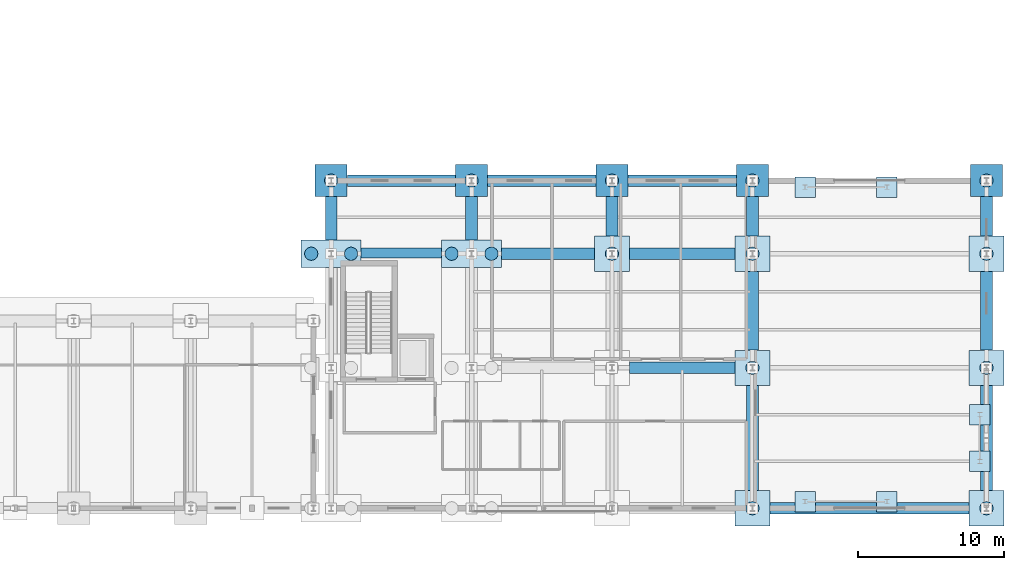
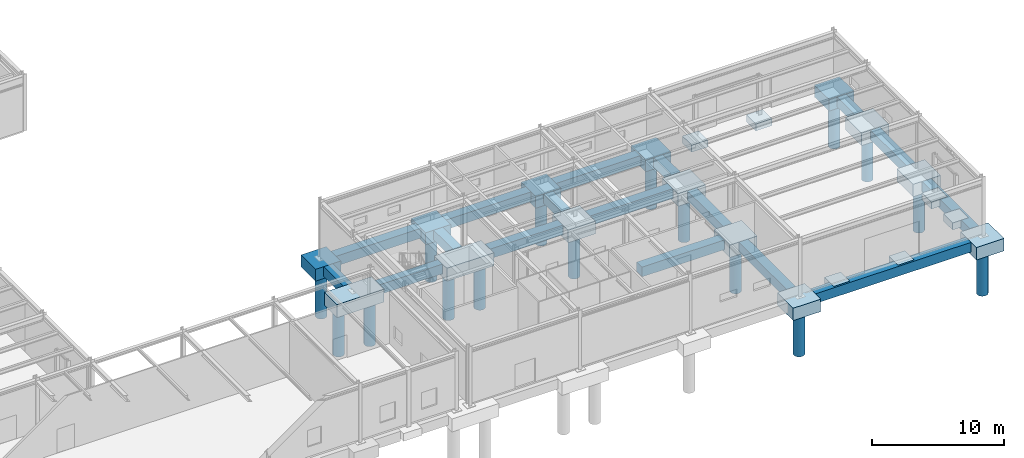
# One storey, part 3 of 109: 37 footings, 16 piles.
"""IFC4 building model written with IfcOpenShell, lengths in metres."""

from ifc_helpers import new_model, si_unit, direction, frame, origin, origin_2d, place, context, subcontext, project, spatial, polyline, rectangle, circle, outline, extrude, material, material_profile, profile_set, type_object, element, save


model = new_model("IFC4")

# Units and contexts
model_context = context("Model", 3, precision=1e-05, world=origin(), true_north=direction((0.0, 1.0)))
body_context = subcontext(model_context, "Body", "Model", "MODEL_VIEW")
ifc_project = project(units=[si_unit("LENGTHUNIT", "METRE"), si_unit("AREAUNIT", "SQUARE_METRE"), si_unit("VOLUMEUNIT", "CUBIC_METRE"), si_unit("PLANEANGLEUNIT", "RADIAN"), si_unit("MASSUNIT", "GRAM", prefix="KILO")], contexts=[model_context])

# Site, building, storey
site_placement = place(None, origin())
site = spatial("IfcSite", under=ifc_project, at=site_placement, CompositionType="ELEMENT")
building_placement = place(site_placement, origin())
building = spatial("IfcBuilding", under=site, at=building_placement, Name="Nordkorset Police Headquarters", CompositionType="ELEMENT")
storey_placement = place(building_placement, origin())
storey = spatial("IfcBuildingStorey", under=building, at=storey_placement, Name="L00", CompositionType="ELEMENT", Elevation=0.0)

# Piles
ifc_material_1 = material(Name="Concrete C45/55", Category="concrete")
ifc_material_profile = material_profile(ifc_material_1, circle(Radius=0.449951171875, at=origin_2d()), Name="PILE D900")
ifc_profile_set = profile_set([ifc_material_profile], Name="Concrete C45/55")
pile_type = type_object("IfcPileType", Name="Bored_PILE_D900", PredefinedType="BORED", material=ifc_profile_set)
pile_1_placement = place(storey_placement, frame((126.39990234375, 22.39990234375, -1.27001953125), z_axis=(0.0, 0.0, -1.0), x_axis=(1.0, 0.0, 0.0)))
element("IfcPile", 1, at=pile_1_placement, inside=storey, type_object=pile_type, Name="Rock-Socketed Bored Pile V6_N_0-1", PredefinedType="BORED", context=body_context, shape_type="SweptSolid", body=[
    extrude(circle(Radius=0.449951171875, at=origin_2d()), origin(), (0.0, 0.0, 1.0), 4.330078125),
])
for number, where, z_axis, x_axis, name in (
    (2, (125.0400390625, 17.39990234375, -1.3701171875), (0.0, 0.0, -1.0), (1.0, 0.0, 0.0), "Rock-Socketed Bored Pile V6_Y2_0-1"),
    (3, (127.760009765625, 17.39990234375, -1.3701171875), (0.0, 0.0, -1.0), (1.0, 0.0, 0.0), "Rock-Socketed Bored Pile V6_Y2_0-2"),
):
    element("IfcPile", number, at=place(storey_placement, frame(where, z_axis=z_axis, x_axis=x_axis)), inside=storey, type_object=pile_type, Name=name, PredefinedType="BORED", context=body_context, shape_type="SweptSolid", body=[
        extrude(circle(Radius=0.449951171875, at=origin_2d()), origin(), (0.0, 0.0, 1.0), 4.22998046875),
    ])
pile_2_placement = place(storey_placement, frame((136.0, 22.39990234375, -1.27001953125), z_axis=(0.0, 0.0, -1.0), x_axis=(1.0, 0.0, 0.0)))
element("IfcPile", 4, at=pile_2_placement, inside=storey, type_object=pile_type, Name="Rock-Socketed Bored Pile V6_N_1-1", PredefinedType="BORED", context=body_context, shape_type="SweptSolid", body=[
    extrude(circle(Radius=0.449951171875, at=origin_2d()), origin(), (0.0, 0.0, 1.0), 4.330078125),
])
for number, where, z_axis, x_axis, name in (
    (5, (134.639892578125, 17.39990234375, -1.3701171875), (0.0, 0.0, -1.0), (1.0, 0.0, 0.0), "Rock-Socketed Bored Pile V6_Y2_1-1"),
    (6, (137.360107421875, 17.39990234375, -1.3701171875), (0.0, 0.0, -1.0), (1.0, 0.0, 0.0), "Rock-Socketed Bored Pile V6_Y2_1-2"),
):
    element("IfcPile", number, at=place(storey_placement, frame(where, z_axis=z_axis, x_axis=x_axis)), inside=storey, type_object=pile_type, Name=name, PredefinedType="BORED", context=body_context, shape_type="SweptSolid", body=[
        extrude(circle(Radius=0.449951171875, at=origin_2d()), origin(), (0.0, 0.0, 1.0), 4.22998046875),
    ])
pile_3_placement = place(storey_placement, frame((145.60009765625, 22.39990234375, -1.27001953125), z_axis=(0.0, 0.0, -1.0), x_axis=(1.0, 0.0, 0.0)))
element("IfcPile", 7, at=pile_3_placement, inside=storey, type_object=pile_type, Name="Rock-Socketed Bored Pile V6_N_2-1", PredefinedType="BORED", context=body_context, shape_type="SweptSolid", body=[
    extrude(circle(Radius=0.449951171875, at=origin_2d()), origin(), (0.0, 0.0, 1.0), 4.330078125),
])
pile_4_placement = place(storey_placement, frame((145.60009765625, 17.39990234375, -1.320068359375), z_axis=(0.0, 0.0, -1.0), x_axis=(1.0, 0.0, 0.0)))
element("IfcPile", 8, at=pile_4_placement, inside=storey, type_object=pile_type, Name="Rock-Socketed Bored Pile V6_Y2_2-1", PredefinedType="BORED", context=body_context, shape_type="SweptSolid", body=[
    extrude(circle(Radius=0.449951171875, at=origin_2d()), origin(), (0.0, 0.0, 1.0), 4.280029296875),
])
pile_5_placement = place(storey_placement, frame((155.199951171875, 22.39990234375, -1.27001953125), z_axis=(0.0, 0.0, -1.0), x_axis=(1.0, 0.0, 0.0)))
element("IfcPile", 9, at=pile_5_placement, inside=storey, type_object=pile_type, Name="Rock-Socketed Bored Pile V6_N_3-1", PredefinedType="BORED", context=body_context, shape_type="SweptSolid", body=[
    extrude(circle(Radius=0.449951171875, at=origin_2d()), origin(), (0.0, 0.0, 1.0), 4.330078125),
])
for number, where, z_axis, x_axis, name in (
    (10, (155.199951171875, 0.0, -1.320068359375), (0.0, 0.0, -1.0), (1.0, 0.0, 0.0), "Rock-Socketed Bored Pile V6_Y0_3-1"),
    (11, (155.199951171875, 9.60009765625, -1.320068359375), (0.0, 0.0, -1.0), (1.0, 0.0, 0.0), "Rock-Socketed Bored Pile V6_Y1_3-1"),
    (12, (155.199951171875, 17.39990234375, -1.320068359375), (0.0, 0.0, -1.0), (1.0, 0.0, 0.0), "Rock-Socketed Bored Pile V6_Y2_3-1"),
):
    element("IfcPile", number, at=place(storey_placement, frame(where, z_axis=z_axis, x_axis=x_axis)), inside=storey, type_object=pile_type, Name=name, PredefinedType="BORED", context=body_context, shape_type="SweptSolid", body=[
        extrude(circle(Radius=0.449951171875, at=origin_2d()), origin(), (0.0, 0.0, 1.0), 4.280029296875),
    ])
pile_6_placement = place(storey_placement, frame((171.199951171875, 22.39990234375, -1.27001953125), z_axis=(0.0, 0.0, -1.0), x_axis=(1.0, 0.0, 0.0)))
element("IfcPile", 13, at=pile_6_placement, inside=storey, type_object=pile_type, Name="Rock-Socketed Bored Pile V6_N_4-1", PredefinedType="BORED", context=body_context, shape_type="SweptSolid", body=[
    extrude(circle(Radius=0.449951171875, at=origin_2d()), origin(), (0.0, 0.0, 1.0), 4.330078125),
])
for number, where, z_axis, x_axis, name in (
    (14, (171.199951171875, 0.0, -1.320068359375), (0.0, 0.0, -1.0), (1.0, 0.0, 0.0), "Rock-Socketed Bored Pile V6_Y0_4-1"),
    (15, (171.199951171875, 9.60009765625, -1.320068359375), (0.0, 0.0, -1.0), (1.0, 0.0, 0.0), "Rock-Socketed Bored Pile V6_Y1_4-1"),
    (16, (171.199951171875, 17.39990234375, -1.320068359375), (0.0, 0.0, -1.0), (1.0, 0.0, 0.0), "Rock-Socketed Bored Pile V6_Y2_4-1"),
):
    element("IfcPile", number, at=place(storey_placement, frame(where, z_axis=z_axis, x_axis=x_axis)), inside=storey, type_object=pile_type, Name=name, PredefinedType="BORED", context=body_context, shape_type="SweptSolid", body=[
        extrude(circle(Radius=0.449951171875, at=origin_2d()), origin(), (0.0, 0.0, 1.0), 4.280029296875),
    ])

# Footings
ifc_material_2 = material(Name="Concrete C35/45", Category="concrete")
footing_type_1 = type_object("IfcFootingType", Name="Cap_2200x2200x1100", PredefinedType="PILE_CAP", material=ifc_material_2)
for number, where, z_axis, x_axis, name in (
    (17, (126.39990234375, 22.39990234375, -1.3701171875), (0.0, 0.0, 1.0), (1.0, 0.0, 0.0), "Reinforced Concrete Pile Cap V6_N_0"),
    (18, (136.0, 22.39990234375, -1.3701171875), (0.0, 0.0, 1.0), (1.0, 0.0, 0.0), "Reinforced Concrete Pile Cap V6_N_1"),
    (19, (145.60009765625, 22.39990234375, -1.3701171875), (0.0, 0.0, 1.0), (1.0, 0.0, 0.0), "Reinforced Concrete Pile Cap V6_N_2"),
    (20, (155.199951171875, 22.39990234375, -1.3701171875), (0.0, 0.0, 1.0), (1.0, 0.0, 0.0), "Reinforced Concrete Pile Cap V6_N_3"),
    (21, (171.199951171875, 22.39990234375, -1.3701171875), (0.0, 0.0, 1.0), (1.0, 0.0, 0.0), "Reinforced Concrete Pile Cap V6_N_4"),
):
    element("IfcFooting", number, at=place(storey_placement, frame(where, z_axis=z_axis, x_axis=x_axis)), inside=storey, type_object=footing_type_1, Name=name, PredefinedType="PILE_CAP", context=body_context, shape_type="SweptSolid", body=[
        extrude(rectangle(XDim=2.199951171875, YDim=2.199951171875, at=origin_2d()), origin(), (0.0, 0.0, 1.0), 1.10009765625),
    ])
ifc_material_3 = material(Name="Concrete C35/45", Category="concrete")
footing_type_2 = type_object("IfcFootingType", Name="Cap_2400x2400x1150", PredefinedType="PILE_CAP", material=ifc_material_3)
for number, where, z_axis, x_axis, name in (
    (22, (145.60009765625, 17.39990234375, -1.419921875), (0.0, 0.0, 1.0), (1.0, 0.0, 0.0), "Reinforced Concrete Pile Cap V6_Y2_2"),
    (23, (155.199951171875, 0.0, -1.419921875), (0.0, 0.0, 1.0), (1.0, 0.0, 0.0), "Reinforced Concrete Pile Cap V6_Y0_3"),
    (24, (155.199951171875, 9.60009765625, -1.419921875), (0.0, 0.0, 1.0), (1.0, 0.0, 0.0), "Reinforced Concrete Pile Cap V6_Y1_3"),
    (25, (155.199951171875, 17.39990234375, -1.419921875), (0.0, 0.0, 1.0), (1.0, 0.0, 0.0), "Reinforced Concrete Pile Cap V6_Y2_3"),
    (26, (171.199951171875, 0.0, -1.419921875), (0.0, 0.0, 1.0), (1.0, 0.0, 0.0), "Reinforced Concrete Pile Cap V6_Y0_4"),
    (27, (171.199951171875, 9.60009765625, -1.419921875), (0.0, 0.0, 1.0), (1.0, 0.0, 0.0), "Reinforced Concrete Pile Cap V6_Y1_4"),
    (28, (171.199951171875, 17.39990234375, -1.419921875), (0.0, 0.0, 1.0), (1.0, 0.0, 0.0), "Reinforced Concrete Pile Cap V6_Y2_4"),
):
    element("IfcFooting", number, at=place(storey_placement, frame(where, z_axis=z_axis, x_axis=x_axis)), inside=storey, type_object=footing_type_2, Name=name, PredefinedType="PILE_CAP", context=body_context, shape_type="SweptSolid", body=[
        extrude(rectangle(XDim=2.39990234375, YDim=2.39990234375, at=origin_2d()), origin(), (0.0, 0.0, 1.0), 1.14990234375),
    ])
ifc_material_4 = material(Name="Concrete C35/45", Category="concrete")
footing_type_3 = type_object("IfcFootingType", Name="Cap_3800x1900x1200", PredefinedType="PILE_CAP", material=ifc_material_4)
for number, where, z_axis, x_axis, name in (
    (29, (126.39990234375, 17.39990234375, -1.47021484375), (0.0, 0.0, 1.0), (1.0, 0.0, 0.0), "Reinforced Concrete Pile Cap V6_Y2_0"),
    (30, (136.0, 17.39990234375, -1.47021484375), (0.0, 0.0, 1.0), (1.0, 0.0, 0.0), "Reinforced Concrete Pile Cap V6_Y2_1"),
):
    element("IfcFooting", number, at=place(storey_placement, frame(where, z_axis=z_axis, x_axis=x_axis)), inside=storey, type_object=footing_type_3, Name=name, PredefinedType="PILE_CAP", context=body_context, shape_type="SweptSolid", body=[
        extrude(rectangle(XDim=4.10009765625, YDim=1.89990234375, at=origin_2d()), origin(), (0.0, 0.0, 1.0), 1.199951171875),
    ])
ifc_material_5 = material(Name="Concrete C35/45", Category="concrete")
footing_type_4 = type_object("IfcFootingType", Name="Pad_1400x1400x650", PredefinedType="PAD_FOOTING", material=ifc_material_5)
for number, where, z_axis, x_axis, name in (
    (31, (158.800048828125, 0.449951171875, -0.919921875), (0.0, 0.0, 1.0), (1.0, 0.0, 0.0), "Portal Post Pad LNT-VG01-0"),
    (32, (164.39990234375, 0.449951171875, -0.919921875), (0.0, 0.0, 1.0), (1.0, 0.0, 0.0), "Portal Post Pad LNT-VG01-1"),
    (33, (158.800048828125, 21.949951171875, -0.919921875), (0.0, 0.0, 1.0), (1.0, 0.0, 0.0), "Portal Post Pad LNT-VG02-0"),
    (34, (164.39990234375, 21.949951171875, -0.919921875), (0.0, 0.0, 1.0), (1.0, 0.0, 0.0), "Portal Post Pad LNT-VG02-1"),
    (35, (170.75, 3.199951171875, -0.919921875), (0.0, 0.0, 1.0), (1.0, 0.0, 0.0), "Portal Post Pad LNT-V6-E-0"),
    (36, (170.75, 6.39990234375, -0.919921875), (0.0, 0.0, 1.0), (1.0, 0.0, 0.0), "Portal Post Pad LNT-V6-E-1"),
):
    element("IfcFooting", number, at=place(storey_placement, frame(where, z_axis=z_axis, x_axis=x_axis)), inside=storey, type_object=footing_type_4, Name=name, PredefinedType="PAD_FOOTING", context=body_context, shape_type="SweptSolid", body=[
        extrude(rectangle(XDim=1.39990234375, YDim=1.39990234375, at=origin_2d()), origin(), (0.0, 0.0, 1.0), 0.64990234375),
    ])
ifc_material_6 = material(Name="Concrete C35/45", Category="concrete")
footing_type_5 = type_object("IfcFootingType", Name="Strip_800x900", PredefinedType="STRIP_FOOTING", material=ifc_material_6)
footing_1_placement = place(storey_placement, frame((0.0, 0.0, -1.169921875)))
element("IfcFooting", 37, at=footing_1_placement, inside=storey, type_object=footing_type_5, Name="Foundation Tie Strip Footing X-020", PredefinedType="STRIP_FOOTING", context=body_context, shape_type="SweptSolid", body=[
    extrude(outline(polyline([(156.403076171875, -0.39990234375), (169.9970703125, -0.39990234375), (169.9970703125, 0.39990234375), (156.403076171875, 0.39990234375), (156.403076171875, -0.39990234375)])), origin(), (0.0, 0.0, 1.0), 0.89990234375),
])
footing_2_placement = place(storey_placement, frame((0.0, 0.0, -1.169921875)))
element("IfcFooting", 38, at=footing_2_placement, inside=storey, type_object=footing_type_5, Name="Foundation Tie Strip Footing X-022", PredefinedType="STRIP_FOOTING", context=body_context, shape_type="SweptSolid", body=[
    extrude(outline(polyline([(146.802978515625, 9.199951171875), (153.9970703125, 9.199951171875), (153.9970703125, 10.0), (146.802978515625, 10.0), (146.802978515625, 9.199951171875)])), origin(), (0.0, 0.0, 1.0), 0.89990234375),
])
footing_3_placement = place(storey_placement, frame((0.0, 0.0, -1.169921875)))
element("IfcFooting", 39, at=footing_3_placement, inside=storey, type_object=footing_type_5, Name="Foundation Tie Strip Footing X-037", PredefinedType="STRIP_FOOTING", context=body_context, shape_type="SweptSolid", body=[
    extrude(outline(polyline([(128.452880859375, 17.10302734375), (133.947021484375, 17.10302734375), (133.947021484375, 17.800048828125), (128.452880859375, 17.800048828125), (128.452880859375, 17.10302734375)])), origin(), (0.0, 0.0, 1.0), 0.89990234375),
])
footing_4_placement = place(storey_placement, frame((0.0, 0.0, -1.169921875)))
element("IfcFooting", 40, at=footing_4_placement, inside=storey, type_object=footing_type_5, Name="Foundation Tie Strip Footing X-038", PredefinedType="STRIP_FOOTING", context=body_context, shape_type="SweptSolid", body=[
    extrude(outline(polyline([(138.052978515625, 17.0), (144.39697265625, 17.0), (144.39697265625, 17.800048828125), (138.052978515625, 17.800048828125), (138.052978515625, 17.0)])), origin(), (0.0, 0.0, 1.0), 0.89990234375),
])
footing_5_placement = place(storey_placement, frame((0.0, 0.0, -1.169921875)))
element("IfcFooting", 41, at=footing_5_placement, inside=storey, type_object=footing_type_5, Name="Foundation Tie Strip Footing X-039", PredefinedType="STRIP_FOOTING", context=body_context, shape_type="SweptSolid", body=[
    extrude(outline(polyline([(146.802978515625, 17.0), (153.9970703125, 17.0), (153.9970703125, 17.800048828125), (146.802978515625, 17.800048828125), (146.802978515625, 17.0)])), origin(), (0.0, 0.0, 1.0), 0.89990234375),
])
footing_6_placement = place(storey_placement, frame((0.0, 0.0, -1.169921875)))
element("IfcFooting", 42, at=footing_6_placement, inside=storey, type_object=footing_type_5, Name="Foundation Tie Strip Footing X-041", PredefinedType="STRIP_FOOTING", context=body_context, shape_type="SweptSolid", body=[
    extrude(outline(polyline([(127.5029296875, 22.0), (134.89697265625, 22.0), (134.89697265625, 22.800048828125), (127.5029296875, 22.800048828125), (127.5029296875, 22.0)])), origin(), (0.0, 0.0, 1.0), 0.89990234375),
])
footing_7_placement = place(storey_placement, frame((0.0, 0.0, -1.169921875)))
element("IfcFooting", 43, at=footing_7_placement, inside=storey, type_object=footing_type_5, Name="Foundation Tie Strip Footing X-042", PredefinedType="STRIP_FOOTING", context=body_context, shape_type="SweptSolid", body=[
    extrude(outline(polyline([(137.10302734375, 22.0), (144.4970703125, 22.0), (144.4970703125, 22.800048828125), (137.10302734375, 22.800048828125), (137.10302734375, 22.0)])), origin(), (0.0, 0.0, 1.0), 0.89990234375),
])
footing_8_placement = place(storey_placement, frame((0.0, 0.0, -1.169921875)))
element("IfcFooting", 44, at=footing_8_placement, inside=storey, type_object=footing_type_5, Name="Foundation Tie Strip Footing X-043", PredefinedType="STRIP_FOOTING", context=body_context, shape_type="SweptSolid", body=[
    extrude(outline(polyline([(146.702880859375, 22.0), (154.096923828125, 22.0), (154.096923828125, 22.800048828125), (146.702880859375, 22.800048828125), (146.702880859375, 22.0)])), origin(), (0.0, 0.0, 1.0), 0.89990234375),
])
footing_9_placement = place(storey_placement, frame((0.0, 0.0, -1.169921875)))
element("IfcFooting", 45, at=footing_9_placement, inside=storey, type_object=footing_type_5, Name="Foundation Tie Strip Footing Y-025", PredefinedType="STRIP_FOOTING", context=body_context, shape_type="SweptSolid", body=[
    extrude(outline(polyline([(126.0, 18.35302734375), (126.800048828125, 18.35302734375), (126.800048828125, 21.297119140625), (126.0, 21.297119140625), (126.0, 18.35302734375)])), origin(), (0.0, 0.0, 1.0), 0.89990234375),
])
footing_10_placement = place(storey_placement, frame((0.0, 0.0, -1.169921875)))
element("IfcFooting", 46, at=footing_10_placement, inside=storey, type_object=footing_type_5, Name="Foundation Tie Strip Footing Y-028", PredefinedType="STRIP_FOOTING", context=body_context, shape_type="SweptSolid", body=[
    extrude(outline(polyline([(135.60009765625, 18.35302734375), (136.39990234375, 18.35302734375), (136.39990234375, 21.297119140625), (135.60009765625, 21.297119140625), (135.60009765625, 18.35302734375)])), origin(), (0.0, 0.0, 1.0), 0.89990234375),
])
footing_11_placement = place(storey_placement, frame((0.0, 0.0, -1.169921875)))
element("IfcFooting", 47, at=footing_11_placement, inside=storey, type_object=footing_type_5, Name="Foundation Tie Strip Footing Y-031", PredefinedType="STRIP_FOOTING", context=body_context, shape_type="SweptSolid", body=[
    extrude(outline(polyline([(145.199951171875, 18.60302734375), (146.0, 18.60302734375), (146.0, 21.297119140625), (145.199951171875, 21.297119140625), (145.199951171875, 18.60302734375)])), origin(), (0.0, 0.0, 1.0), 0.89990234375),
])
footing_12_placement = place(storey_placement, frame((0.0, 0.0, -1.169921875)))
element("IfcFooting", 48, at=footing_12_placement, inside=storey, type_object=footing_type_5, Name="Foundation Tie Strip Footing Y-032", PredefinedType="STRIP_FOOTING", context=body_context, shape_type="SweptSolid", body=[
    extrude(outline(polyline([(154.800048828125, 1.202880859375), (155.60009765625, 1.202880859375), (155.60009765625, 8.39697265625), (154.800048828125, 8.39697265625), (154.800048828125, 1.202880859375)])), origin(), (0.0, 0.0, 1.0), 0.89990234375),
])
footing_13_placement = place(storey_placement, frame((0.0, 0.0, -1.169921875)))
element("IfcFooting", 49, at=footing_13_placement, inside=storey, type_object=footing_type_5, Name="Foundation Tie Strip Footing Y-033", PredefinedType="STRIP_FOOTING", context=body_context, shape_type="SweptSolid", body=[
    extrude(outline(polyline([(154.800048828125, 10.802978515625), (155.60009765625, 10.802978515625), (155.60009765625, 16.197021484375), (154.800048828125, 16.197021484375), (154.800048828125, 10.802978515625)])), origin(), (0.0, 0.0, 1.0), 0.89990234375),
])
footing_14_placement = place(storey_placement, frame((0.0, 0.0, -1.169921875)))
element("IfcFooting", 50, at=footing_14_placement, inside=storey, type_object=footing_type_5, Name="Foundation Tie Strip Footing Y-034", PredefinedType="STRIP_FOOTING", context=body_context, shape_type="SweptSolid", body=[
    extrude(outline(polyline([(154.800048828125, 18.60302734375), (155.60009765625, 18.60302734375), (155.60009765625, 21.297119140625), (154.800048828125, 21.297119140625), (154.800048828125, 18.60302734375)])), origin(), (0.0, 0.0, 1.0), 0.89990234375),
])
footing_15_placement = place(storey_placement, frame((0.0, 0.0, -1.169921875)))
element("IfcFooting", 51, at=footing_15_placement, inside=storey, type_object=footing_type_5, Name="Foundation Tie Strip Footing Y-035", PredefinedType="STRIP_FOOTING", context=body_context, shape_type="SweptSolid", body=[
    extrude(outline(polyline([(170.800048828125, 1.202880859375), (171.60009765625, 1.202880859375), (171.60009765625, 8.39697265625), (170.800048828125, 8.39697265625), (170.800048828125, 1.202880859375)])), origin(), (0.0, 0.0, 1.0), 0.89990234375),
])
footing_16_placement = place(storey_placement, frame((0.0, 0.0, -1.169921875)))
element("IfcFooting", 52, at=footing_16_placement, inside=storey, type_object=footing_type_5, Name="Foundation Tie Strip Footing Y-036", PredefinedType="STRIP_FOOTING", context=body_context, shape_type="SweptSolid", body=[
    extrude(outline(polyline([(170.800048828125, 10.802978515625), (171.60009765625, 10.802978515625), (171.60009765625, 16.197021484375), (170.800048828125, 16.197021484375), (170.800048828125, 10.802978515625)])), origin(), (0.0, 0.0, 1.0), 0.89990234375),
])
footing_17_placement = place(storey_placement, frame((0.0, 0.0, -1.169921875)))
element("IfcFooting", 53, at=footing_17_placement, inside=storey, type_object=footing_type_5, Name="Foundation Tie Strip Footing Y-037", PredefinedType="STRIP_FOOTING", context=body_context, shape_type="SweptSolid", body=[
    extrude(outline(polyline([(170.800048828125, 18.60302734375), (171.60009765625, 18.60302734375), (171.60009765625, 21.297119140625), (170.800048828125, 21.297119140625), (170.800048828125, 18.60302734375)])), origin(), (0.0, 0.0, 1.0), 0.89990234375),
])

save(model, "model.ifc")
